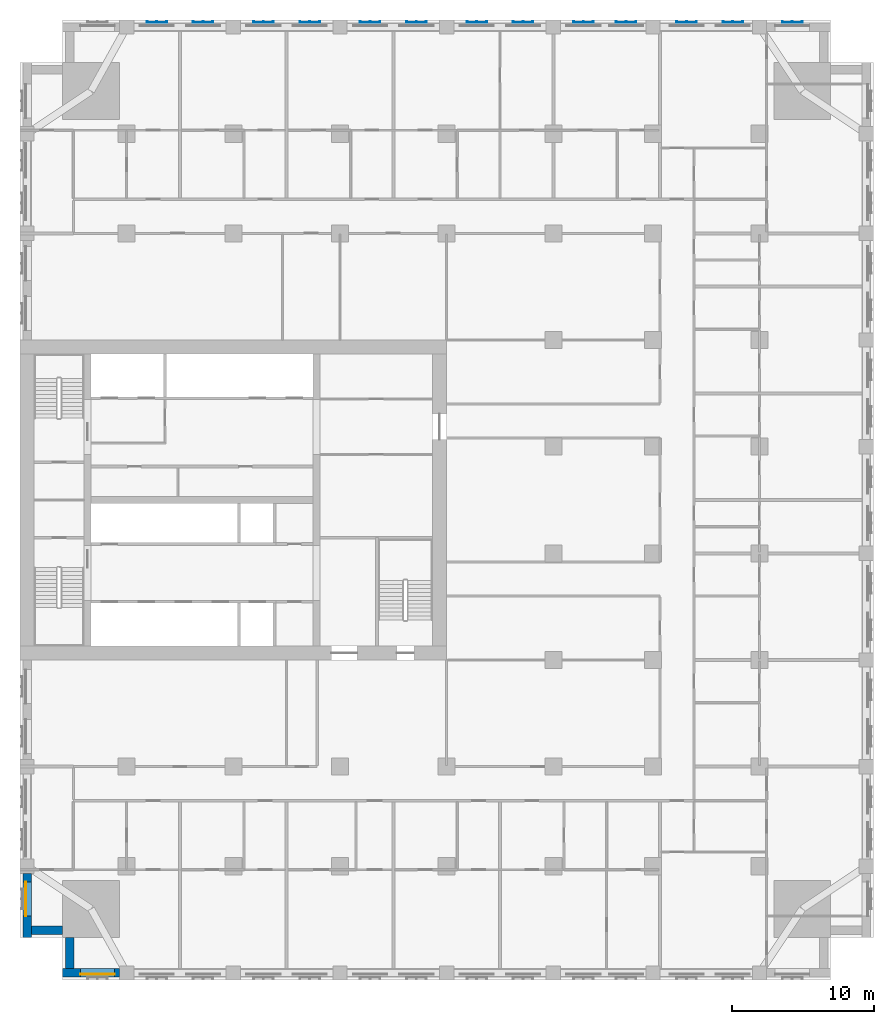
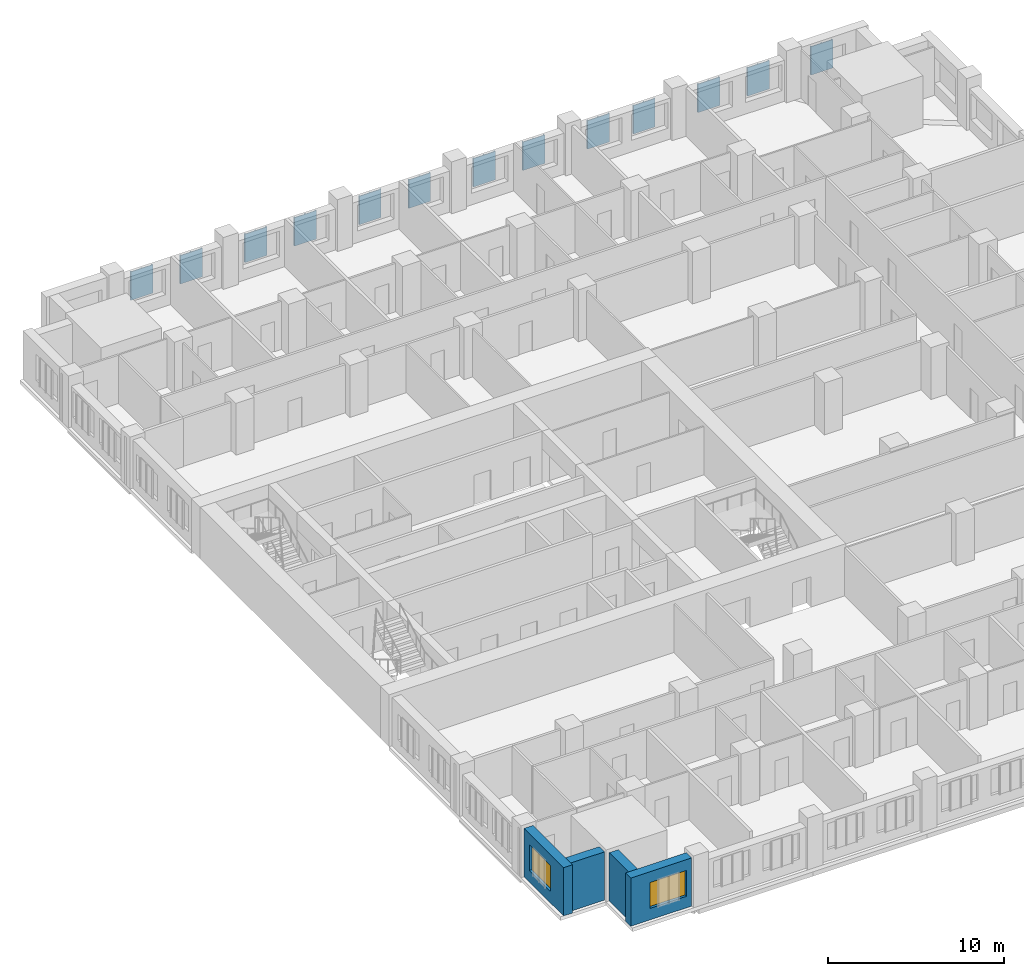
# One storey, part 3 of 14: 13 plates, 4 walls, 2 windows, 2 openings.
"""IFC4 building model written with IfcOpenShell, lengths in metres."""

from ifc_helpers import new_model, si_unit, direction, frame, frame_2d, origin, place, context, subcontext, project, spatial, polyline, rectangle, outline, extrude, material, layer, layer_set, type_object, element, fill, save


model = new_model("IFC4")

# Units and contexts
model_context = context("Model", 3, precision=1e-05, world=origin(), true_north=direction((0.0, 1.0)))
body_context = subcontext(model_context, "Body", "Model", "MODEL_VIEW")
ifc_project = project(units=[si_unit("LENGTHUNIT", "METRE"), si_unit("AREAUNIT", "SQUARE_METRE"), si_unit("VOLUMEUNIT", "CUBIC_METRE"), si_unit("PLANEANGLEUNIT", "RADIAN"), si_unit("MASSUNIT", "GRAM", prefix="KILO")], contexts=[model_context])

# Site, building, storey
site_placement = place(None, origin())
site = spatial("IfcSite", under=ifc_project, at=site_placement, CompositionType="ELEMENT")
building_placement = place(site_placement, origin())
building = spatial("IfcBuilding", under=site, at=building_placement, Name="Tamorin Gate", CompositionType="ELEMENT")
storey_placement = place(building_placement, frame((0.0, 0.0, 37.60009765625)))
storey = spatial("IfcBuildingStorey", under=building, at=storey_placement, Name="L07", CompositionType="ELEMENT", Elevation=37.60009765625)

# Plates
ifc_material_1 = material(Name="Perforated pale aluminium sheet", Category="aluminium")
ifc_layer_1 = layer(ifc_material_1, 0.0400390625)
ifc_layer_set_1 = layer_set([ifc_layer_1], Name="Pale metal solar screen 1440")
plate_type = type_object("IfcPlateType", Name="Pale metal solar screen 1440", PredefinedType="SHEET", material=ifc_layer_set_1)
plate_1_placement = place(storey_placement, frame((0.0, 0.0, 0.7099609375)))
element("IfcPlate", 1, at=plate_1_placement, inside=storey, type_object=plate_type, Name="Perforated solar screen", PredefinedType="SHEET", context=body_context, shape_type="SweptSolid", body=[
    extrude(outline(polyline([(85.02001953125, 104.840087890625), (85.02001953125, 104.800048828125), (84.9599609375, 104.800048828125), (84.330078125, 104.800048828125), (84.27001953125, 104.800048828125), (83.639892578125, 104.800048828125), (83.580078125, 104.800048828125), (83.580078125, 104.840087890625), (83.580078125, 104.89990234375), (83.639892578125, 104.89990234375), (83.639892578125, 104.840087890625), (84.27001953125, 104.840087890625), (84.27001953125, 104.89990234375), (84.330078125, 104.89990234375), (84.330078125, 104.840087890625), (84.9599609375, 104.840087890625), (84.9599609375, 104.89990234375), (85.02001953125, 104.89990234375), (85.02001953125, 104.840087890625)])), origin(), (0.0, 0.0, 1.0), 1.97998046875),
])
plate_2_placement = place(storey_placement, frame((0.0, 0.0, 0.7099609375)))
element("IfcPlate", 2, at=plate_2_placement, inside=storey, type_object=plate_type, Name="Perforated solar screen", PredefinedType="SHEET", context=body_context, shape_type="SweptSolid", body=[
    extrude(outline(polyline([(77.594970703125, 104.840087890625), (77.594970703125, 104.800048828125), (77.534912109375, 104.800048828125), (76.905029296875, 104.800048828125), (76.844970703125, 104.800048828125), (76.215087890625, 104.800048828125), (76.155029296875, 104.800048828125), (76.155029296875, 104.840087890625), (76.155029296875, 104.89990234375), (76.215087890625, 104.89990234375), (76.215087890625, 104.840087890625), (76.844970703125, 104.840087890625), (76.844970703125, 104.89990234375), (76.905029296875, 104.89990234375), (76.905029296875, 104.840087890625), (77.534912109375, 104.840087890625), (77.534912109375, 104.89990234375), (77.594970703125, 104.89990234375), (77.594970703125, 104.840087890625)])), origin(), (0.0, 0.0, 1.0), 1.97998046875),
])
plate_3_placement = place(storey_placement, frame((0.0, 0.0, 0.7099609375)))
element("IfcPlate", 3, at=plate_3_placement, inside=storey, type_object=plate_type, Name="Perforated solar screen", PredefinedType="SHEET", context=body_context, shape_type="SweptSolid", body=[
    extrude(outline(polyline([(80.844970703125, 104.840087890625), (80.844970703125, 104.800048828125), (80.784912109375, 104.800048828125), (80.155029296875, 104.800048828125), (80.094970703125, 104.800048828125), (79.465087890625, 104.800048828125), (79.405029296875, 104.800048828125), (79.405029296875, 104.800048828125), (79.405029296875, 104.840087890625), (79.405029296875, 104.840087890625), (79.405029296875, 104.89990234375), (79.465087890625, 104.89990234375), (79.465087890625, 104.840087890625), (80.094970703125, 104.840087890625), (80.094970703125, 104.89990234375), (80.155029296875, 104.89990234375), (80.155029296875, 104.840087890625), (80.784912109375, 104.840087890625), (80.784912109375, 104.89990234375), (80.844970703125, 104.89990234375), (80.844970703125, 104.840087890625)])), origin(), (0.0, 0.0, 1.0), 1.97998046875),
])
plate_4_placement = place(storey_placement, frame((0.0, 0.0, 0.7099609375)))
element("IfcPlate", 4, at=plate_4_placement, inside=storey, type_object=plate_type, Name="Perforated solar screen", PredefinedType="SHEET", context=body_context, shape_type="SweptSolid", body=[
    extrude(outline(polyline([(70.344970703125, 104.840087890625), (70.344970703125, 104.800048828125), (70.284912109375, 104.800048828125), (69.655029296875, 104.800048828125), (69.594970703125, 104.800048828125), (68.965087890625, 104.800048828125), (68.905029296875, 104.800048828125), (68.905029296875, 104.840087890625), (68.905029296875, 104.89990234375), (68.965087890625, 104.89990234375), (68.965087890625, 104.840087890625), (69.594970703125, 104.840087890625), (69.594970703125, 104.89990234375), (69.655029296875, 104.89990234375), (69.655029296875, 104.840087890625), (70.284912109375, 104.840087890625), (70.284912109375, 104.89990234375), (70.344970703125, 104.89990234375), (70.344970703125, 104.840087890625)])), origin(), (0.0, 0.0, 1.0), 1.97998046875),
])
plate_5_placement = place(storey_placement, frame((0.0, 0.0, 0.7099609375)))
element("IfcPlate", 5, at=plate_5_placement, inside=storey, type_object=plate_type, Name="Perforated solar screen", PredefinedType="SHEET", context=body_context, shape_type="SweptSolid", body=[
    extrude(outline(polyline([(73.344970703125, 104.840087890625), (73.344970703125, 104.800048828125), (73.284912109375, 104.800048828125), (72.655029296875, 104.800048828125), (72.594970703125, 104.800048828125), (71.965087890625, 104.800048828125), (71.905029296875, 104.800048828125), (71.905029296875, 104.840087890625), (71.905029296875, 104.89990234375), (71.965087890625, 104.89990234375), (71.965087890625, 104.840087890625), (72.594970703125, 104.840087890625), (72.594970703125, 104.89990234375), (72.655029296875, 104.89990234375), (72.655029296875, 104.840087890625), (73.284912109375, 104.840087890625), (73.284912109375, 104.89990234375), (73.344970703125, 104.89990234375), (73.344970703125, 104.840087890625)])), origin(), (0.0, 0.0, 1.0), 1.97998046875),
])
plate_6_placement = place(storey_placement, frame((0.0, 0.0, 0.7099609375)))
element("IfcPlate", 6, at=plate_6_placement, inside=storey, type_object=plate_type, Name="Perforated solar screen", PredefinedType="SHEET", context=body_context, shape_type="SweptSolid", body=[
    extrude(outline(polyline([(62.844970703125, 104.840087890625), (62.844970703125, 104.800048828125), (62.784912109375, 104.800048828125), (62.155029296875, 104.800048828125), (62.094970703125, 104.800048828125), (61.465087890625, 104.800048828125), (61.405029296875, 104.800048828125), (61.405029296875, 104.840087890625), (61.405029296875, 104.89990234375), (61.465087890625, 104.89990234375), (61.465087890625, 104.840087890625), (62.094970703125, 104.840087890625), (62.094970703125, 104.89990234375), (62.155029296875, 104.89990234375), (62.155029296875, 104.840087890625), (62.784912109375, 104.840087890625), (62.784912109375, 104.89990234375), (62.844970703125, 104.89990234375), (62.844970703125, 104.840087890625)])), origin(), (0.0, 0.0, 1.0), 1.97998046875),
])
plate_7_placement = place(storey_placement, frame((0.0, 0.0, 0.7099609375)))
element("IfcPlate", 7, at=plate_7_placement, inside=storey, type_object=plate_type, Name="Perforated solar screen", PredefinedType="SHEET", context=body_context, shape_type="SweptSolid", body=[
    extrude(outline(polyline([(66.094970703125, 104.840087890625), (66.094970703125, 104.800048828125), (66.034912109375, 104.800048828125), (65.405029296875, 104.800048828125), (65.344970703125, 104.800048828125), (64.715087890625, 104.800048828125), (64.655029296875, 104.800048828125), (64.655029296875, 104.840087890625), (64.655029296875, 104.89990234375), (64.715087890625, 104.89990234375), (64.715087890625, 104.840087890625), (65.344970703125, 104.840087890625), (65.344970703125, 104.89990234375), (65.405029296875, 104.89990234375), (65.405029296875, 104.840087890625), (66.034912109375, 104.840087890625), (66.034912109375, 104.89990234375), (66.094970703125, 104.89990234375), (66.094970703125, 104.840087890625)])), origin(), (0.0, 0.0, 1.0), 1.97998046875),
])
plate_8_placement = place(storey_placement, frame((0.0, 0.0, 0.7099609375)))
element("IfcPlate", 8, at=plate_8_placement, inside=storey, type_object=plate_type, Name="Perforated solar screen", PredefinedType="SHEET", context=body_context, shape_type="SweptSolid", body=[
    extrude(outline(polyline([(55.344970703125, 104.840087890625), (55.344970703125, 104.800048828125), (55.284912109375, 104.800048828125), (54.655029296875, 104.800048828125), (54.594970703125, 104.800048828125), (53.965087890625, 104.800048828125), (53.905029296875, 104.800048828125), (53.905029296875, 104.840087890625), (53.905029296875, 104.89990234375), (53.965087890625, 104.89990234375), (53.965087890625, 104.840087890625), (54.594970703125, 104.840087890625), (54.594970703125, 104.89990234375), (54.655029296875, 104.89990234375), (54.655029296875, 104.840087890625), (55.284912109375, 104.840087890625), (55.284912109375, 104.89990234375), (55.344970703125, 104.89990234375), (55.344970703125, 104.840087890625)])), origin(), (0.0, 0.0, 1.0), 1.97998046875),
])
plate_9_placement = place(storey_placement, frame((0.0, 0.0, 0.7099609375)))
element("IfcPlate", 9, at=plate_9_placement, inside=storey, type_object=plate_type, Name="Perforated solar screen", PredefinedType="SHEET", context=body_context, shape_type="SweptSolid", body=[
    extrude(outline(polyline([(58.594970703125, 104.840087890625), (58.594970703125, 104.800048828125), (58.534912109375, 104.800048828125), (57.905029296875, 104.800048828125), (57.844970703125, 104.800048828125), (57.215087890625, 104.800048828125), (57.155029296875, 104.800048828125), (57.155029296875, 104.840087890625), (57.155029296875, 104.89990234375), (57.215087890625, 104.89990234375), (57.215087890625, 104.840087890625), (57.844970703125, 104.840087890625), (57.844970703125, 104.89990234375), (57.905029296875, 104.89990234375), (57.905029296875, 104.840087890625), (58.534912109375, 104.840087890625), (58.534912109375, 104.89990234375), (58.594970703125, 104.89990234375), (58.594970703125, 104.840087890625)])), origin(), (0.0, 0.0, 1.0), 1.97998046875),
])
plate_10_placement = place(storey_placement, frame((0.0, 0.0, 0.7099609375)))
element("IfcPlate", 10, at=plate_10_placement, inside=storey, type_object=plate_type, Name="Perforated solar screen", PredefinedType="SHEET", context=body_context, shape_type="SweptSolid", body=[
    extrude(outline(polyline([(47.844970703125, 104.840087890625), (47.844970703125, 104.800048828125), (47.784912109375, 104.800048828125), (47.155029296875, 104.800048828125), (47.094970703125, 104.800048828125), (46.465087890625, 104.800048828125), (46.405029296875, 104.800048828125), (46.405029296875, 104.840087890625), (46.405029296875, 104.89990234375), (46.465087890625, 104.89990234375), (46.465087890625, 104.840087890625), (47.094970703125, 104.840087890625), (47.094970703125, 104.89990234375), (47.155029296875, 104.89990234375), (47.155029296875, 104.840087890625), (47.784912109375, 104.840087890625), (47.784912109375, 104.89990234375), (47.844970703125, 104.89990234375), (47.844970703125, 104.840087890625)])), origin(), (0.0, 0.0, 1.0), 1.97998046875),
])
plate_11_placement = place(storey_placement, frame((0.0, 0.0, 0.7099609375)))
element("IfcPlate", 11, at=plate_11_placement, inside=storey, type_object=plate_type, Name="Perforated solar screen", PredefinedType="SHEET", context=body_context, shape_type="SweptSolid", body=[
    extrude(outline(polyline([(51.094970703125, 104.840087890625), (51.094970703125, 104.800048828125), (51.034912109375, 104.800048828125), (50.405029296875, 104.800048828125), (50.344970703125, 104.800048828125), (49.715087890625, 104.800048828125), (49.655029296875, 104.800048828125), (49.655029296875, 104.840087890625), (49.655029296875, 104.89990234375), (49.715087890625, 104.89990234375), (49.715087890625, 104.840087890625), (50.344970703125, 104.840087890625), (50.344970703125, 104.89990234375), (50.405029296875, 104.89990234375), (50.405029296875, 104.840087890625), (51.034912109375, 104.840087890625), (51.034912109375, 104.89990234375), (51.094970703125, 104.89990234375), (51.094970703125, 104.840087890625)])), origin(), (0.0, 0.0, 1.0), 1.97998046875),
])
plate_12_placement = place(storey_placement, frame((0.0, 0.0, 0.7099609375)))
element("IfcPlate", 12, at=plate_12_placement, inside=storey, type_object=plate_type, Name="Perforated solar screen", PredefinedType="SHEET", context=body_context, shape_type="SweptSolid", body=[
    extrude(outline(polyline([(40.344970703125, 104.840087890625), (40.344970703125, 104.800048828125), (40.284912109375, 104.800048828125), (39.655029296875, 104.800048828125), (39.594970703125, 104.800048828125), (38.965087890625, 104.800048828125), (38.905029296875, 104.800048828125), (38.905029296875, 104.840087890625), (38.905029296875, 104.89990234375), (38.965087890625, 104.89990234375), (38.965087890625, 104.840087890625), (39.594970703125, 104.840087890625), (39.594970703125, 104.89990234375), (39.655029296875, 104.89990234375), (39.655029296875, 104.840087890625), (40.284912109375, 104.840087890625), (40.284912109375, 104.89990234375), (40.344970703125, 104.89990234375), (40.344970703125, 104.840087890625)])), origin(), (0.0, 0.0, 1.0), 1.97998046875),
])
plate_13_placement = place(storey_placement, frame((0.0, 0.0, 0.7099609375)))
element("IfcPlate", 13, at=plate_13_placement, inside=storey, type_object=plate_type, Name="Perforated solar screen", PredefinedType="SHEET", context=body_context, shape_type="SweptSolid", body=[
    extrude(outline(polyline([(43.594970703125, 104.840087890625), (43.594970703125, 104.800048828125), (43.534912109375, 104.800048828125), (42.905029296875, 104.800048828125), (42.844970703125, 104.800048828125), (42.215087890625, 104.800048828125), (42.155029296875, 104.800048828125), (42.155029296875, 104.840087890625), (42.155029296875, 104.89990234375), (42.215087890625, 104.89990234375), (42.215087890625, 104.840087890625), (42.844970703125, 104.840087890625), (42.844970703125, 104.89990234375), (42.905029296875, 104.89990234375), (42.905029296875, 104.840087890625), (43.534912109375, 104.840087890625), (43.534912109375, 104.89990234375), (43.594970703125, 104.89990234375), (43.594970703125, 104.840087890625)])), origin(), (0.0, 0.0, 1.0), 1.97998046875),
])

# Wall, opening, window
ifc_material_2 = material(Name="Precast concrete C40/50", Category="concrete")
ifc_layer_2 = layer(ifc_material_2, 0.60009765625)
ifc_layer_set_2 = layer_set([ifc_layer_2], Name="Precast concrete C40/50")
wall_type = type_object("IfcWallType", Name="Board-marked concrete facade panel 600", PredefinedType="SOLIDWALL", material=ifc_layer_set_2)
wall_1_placement = place(storey_placement, frame((33.0, 38.0, 0.0), z_axis=(0.0, 0.0, 1.0), x_axis=(1.0, 0.0, 0.0)))
wall_1 = element("IfcWall", 14, at=wall_1_placement, inside=storey, type_object=wall_type, Name="Facade panel", PredefinedType="SOLIDWALL", context=body_context, shape_type="SweptSolid", body=[
    extrude(rectangle(XDim=4.0, YDim=0.60009765625, at=frame_2d((2.0, 0.0))), origin(), (0.0, 0.0, 1.0), 3.349853515625),
])
opening_1_placement = place(wall_1_placement, frame((1.25, 0.0, 0.800048828125)))
opening_1 = element("IfcOpeningElement", 15, at=opening_1_placement, cuts=wall_1, Name="Opening WN1", PredefinedType="OPENING", context=body_context, shape_type="SweptSolid", body=[
    extrude(rectangle(XDim=2.39990234375, YDim=1.800048828125, at=frame_2d((1.199951171875, 0.89990234375))), frame((0.0, 0.31005859375, 0.0), z_axis=(0.0, -1.0, 0.0), x_axis=(1.0, 0.0, 0.0)), (0.0, 0.0, 1.0), 0.6201171875),
])
ifc_material_3 = material(Name="Clear glass in aluminium frame", Category="aluminium")
window_type = type_object("IfcWindowType", Name="Deep-set window 2400x1800", PartitioningType="SINGLE_PANEL", PredefinedType="WINDOW", material=ifc_material_3)
window_1_placement = place(opening_1_placement, origin())
window_1 = element("IfcWindow", 16, at=window_1_placement, inside=storey, type_object=window_type, Name="Deep-set window", OverallHeight=1.800048828125, OverallWidth=2.39990234375, PartitioningType="SINGLE_PANEL", PredefinedType="WINDOW", context=body_context, shape_type="SweptSolid", body=[
    extrude(rectangle(XDim=2.39990234375, YDim=1.800048828125, at=frame_2d((1.199951171875, 0.89990234375))), frame((0.0, -0.070068359375, 0.0), z_axis=(0.0, -1.0, 0.0), x_axis=(1.0, 0.0, 0.0)), (0.0, 0.0, 1.0), 0.06005859375),
])
fill(opening_1, window_1)

wall_2_placement = place(storey_placement, frame((30.5, 45.0, 0.0), z_axis=(0.0, 0.0, 1.0), x_axis=(0.0, -1.0, 0.0)))
wall_2 = element("IfcWall", 17, at=wall_2_placement, inside=storey, type_object=wall_type, Name="Facade panel", PredefinedType="SOLIDWALL", context=body_context, shape_type="SweptSolid", body=[
    extrude(rectangle(XDim=4.5, YDim=0.60009765625, at=frame_2d((2.25, 0.0))), origin(), (0.0, 0.0, 1.0), 3.349853515625),
])
opening_2_placement = place(wall_2_placement, frame((0.60009765625, 0.0, 0.800048828125)))
opening_2 = element("IfcOpeningElement", 18, at=opening_2_placement, cuts=wall_2, Name="Opening WN1", PredefinedType="OPENING", context=body_context, shape_type="SweptSolid", body=[
    extrude(rectangle(XDim=2.39990234375, YDim=1.800048828125, at=frame_2d((1.199951171875, 0.89990234375))), frame((0.0, 0.31005859375, 0.0), z_axis=(0.0, -1.0, 0.0), x_axis=(1.0, 0.0, 0.0)), (0.0, 0.0, 1.0), 0.6201171875),
])
window_2_placement = place(opening_2_placement, origin())
window_2 = element("IfcWindow", 19, at=window_2_placement, inside=storey, type_object=window_type, Name="Deep-set window", OverallHeight=1.800048828125, OverallWidth=2.39990234375, PartitioningType="SINGLE_PANEL", PredefinedType="WINDOW", context=body_context, shape_type="SweptSolid", body=[
    extrude(rectangle(XDim=2.39990234375, YDim=1.800048828125, at=frame_2d((1.199951171875, 0.89990234375))), frame((0.0, -0.070068359375, 0.0), z_axis=(0.0, -1.0, 0.0), x_axis=(1.0, 0.0, 0.0)), (0.0, 0.0, 1.0), 0.06005859375),
])
fill(opening_2, window_2)

# Walls
for number, where, z_axis, x_axis, name in (
    (20, (30.800048828125, 41.0, 0.0), (0.0, 0.0, 1.0), (1.0, 0.0, 0.0), "Facade panel"),
    (21, (33.5, 40.5, 0.0), (0.0, 0.0, 1.0), (0.0, -1.0, 0.0), "Facade panel"),
):
    element("IfcWall", number, at=place(storey_placement, frame(where, z_axis=z_axis, x_axis=x_axis)), inside=storey, type_object=wall_type, Name=name, PredefinedType="SOLIDWALL", context=body_context, shape_type="SweptSolid", body=[
        extrude(rectangle(XDim=2.199951171875, YDim=0.60009765625, at=frame_2d((1.10009765625, 0.0))), origin(), (0.0, 0.0, 1.0), 3.349853515625),
    ])

save(model, "model.ifc")
